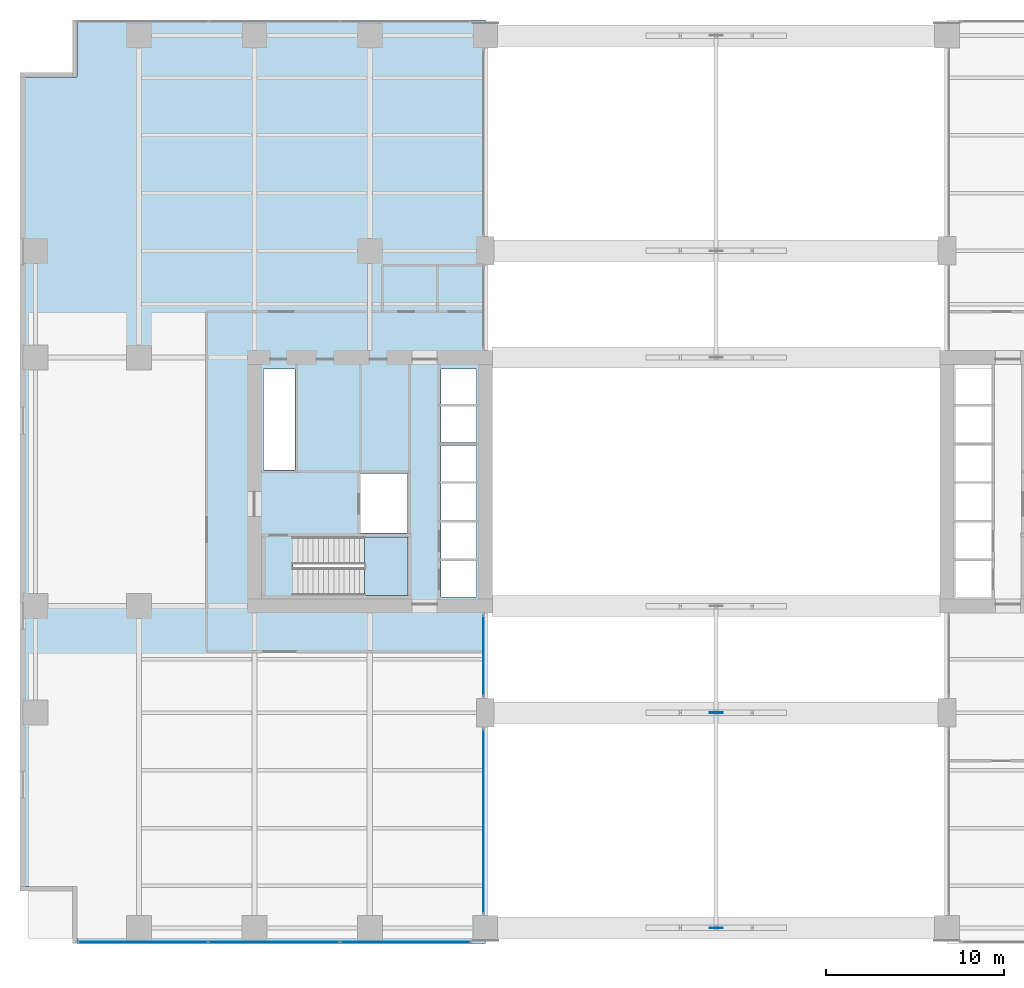
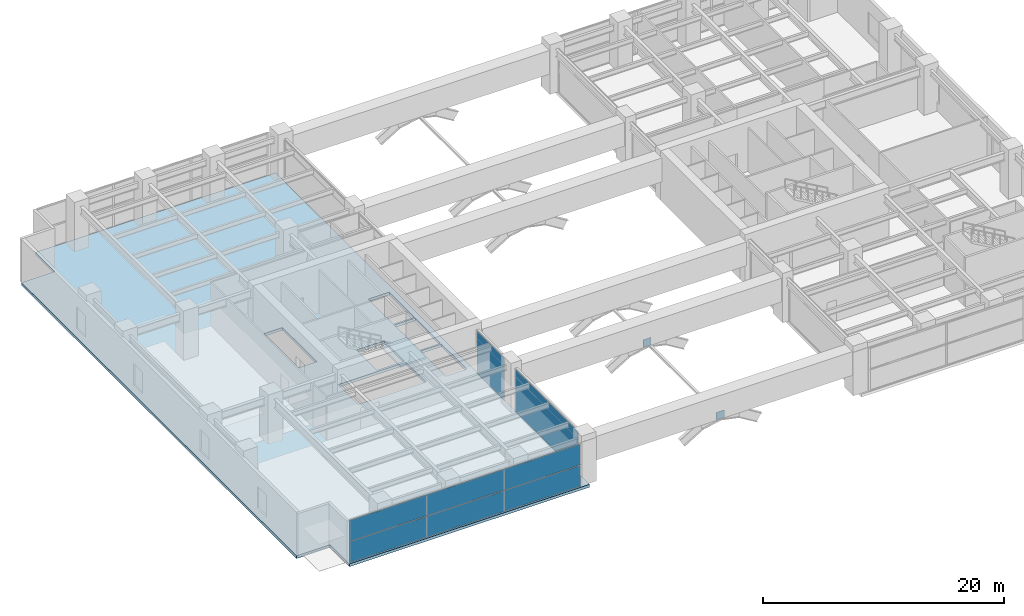
# One storey, part 12 of 23: 10 plates, 2 slabs, 4 elements without a shape of their own.
"""IFC4 building model written with IfcOpenShell, lengths in metres."""

from ifc_helpers import new_model, si_unit, direction, frame, origin, origin_2d, place, context, subcontext, project, spatial, polyline, rectangle, outline, extrude, material, layer, layer_set, type_object, element, aggregate, save


model = new_model("IFC4")

# Units and contexts
model_context = context("Model", 3, precision=1e-05, world=origin(), true_north=direction((0.0, 1.0)))
body_context = subcontext(model_context, "Body", "Model", "MODEL_VIEW")
ifc_project = project(units=[si_unit("LENGTHUNIT", "METRE"), si_unit("AREAUNIT", "SQUARE_METRE"), si_unit("VOLUMEUNIT", "CUBIC_METRE"), si_unit("PLANEANGLEUNIT", "RADIAN"), si_unit("MASSUNIT", "GRAM", prefix="KILO")], contexts=[model_context])

# Site, building, storey
site_placement = place(None, origin())
site = spatial("IfcSite", under=ifc_project, at=site_placement, CompositionType="ELEMENT")
building_placement = place(site_placement, origin())
building = spatial("IfcBuilding", under=site, at=building_placement, Name="Putna Gate Headquarters", CompositionType="ELEMENT")
storey_placement = place(building_placement, frame((0.0, 0.0, 17.0)))
storey = spatial("IfcBuildingStorey", under=building, at=storey_placement, Name="L03", CompositionType="ELEMENT", Elevation=17.0)

# Stair, slab
ifc_material_1 = material(Name="Concrete C40/50", Category="concrete")
stair_type = type_object("IfcStairType", Name="STAIR-ST1", PredefinedType="HALF_TURN_STAIR", material=ifc_material_1)
stair_placement = place(storey_placement, origin())
stair = element("IfcStair", 1, at=stair_placement, inside=storey, type_object=stair_type, Name="L03 West Core Exit Stair ST1", PredefinedType="HALF_TURN_STAIR")
ifc_layer_1 = layer(ifc_material_1, 0.199951171875)
ifc_layer_set_1 = layer_set([ifc_layer_1], Name="Concrete C40/50")
slab_type_1 = type_object("IfcSlabType", Name="LANDING-ST1", PredefinedType="LANDING", material=ifc_layer_set_1)
slab_1_placement = place(storey_placement, frame((0.0, 0.0, 2.300048828125)))
slab_1 = element("IfcSlab", 2, at=slab_1_placement, type_object=slab_type_1, Name="ST1 landing 1", PredefinedType="LANDING", context=body_context, shape_type="SweptSolid", body=[
    extrude(outline(polyline([(19.2099609375, 19.60009765625), (21.64990234375, 19.60009765625), (21.64990234375, 22.89990234375), (19.2099609375, 22.89990234375), (19.2099609375, 19.60009765625)])), origin(), (0.0, 0.0, 1.0), 0.199951171875),
])
aggregate(stair, [slab_1])

# Curtain wall, plate
ifc_material_2 = material(Name="Anodised bronze aluminium curtain wall", Category="aluminium")
ifc_layer_2 = layer(ifc_material_2, 0.179931640625)
ifc_layer_set_2 = layer_set([ifc_layer_2], Name="Anodised bronze aluminium curtain wall")
curtain_wall_type_1 = type_object("IfcCurtainWallType", Name="CW-SYS-ATR", PredefinedType="USERDEFINED", material=ifc_layer_set_2)
curtain_wall_1_placement = place(storey_placement, origin())
curtain_wall_1 = element("IfcCurtainWall", 3, at=curtain_wall_1_placement, inside=storey, type_object=curtain_wall_type_1, Name="L03 Arch Flank Glazing W-S1", ObjectType="ATRIUM GLAZING", PredefinedType="USERDEFINED")
ifc_material_3 = material(Name="Clear low-iron triple glazing", Category="glass")
ifc_layer_3 = layer(ifc_material_3, 0.0400390625)
ifc_layer_set_3 = layer_set([ifc_layer_3], Name="Clear low-iron triple glazing")
plate_type_1 = type_object("IfcPlateType", Name="PAN-CWP-AT", PredefinedType="CURTAIN_PANEL", material=ifc_layer_set_3)
plate_1_placement = place(storey_placement, frame((25.89990234375, 6.885009765625, 0.06982421875), z_axis=(0.0, 0.0, 1.0), x_axis=(0.0, 1.0, 0.0)))
plate_1 = element("IfcPlate", 4, at=plate_1_placement, type_object=plate_type_1, Name="CWS-AT panel 1.1", PredefinedType="CURTAIN_PANEL", context=body_context, shape_type="SweptSolid", body=[
    extrude(rectangle(XDim=10.330078125, YDim=0.0400390625, at=origin_2d()), origin(), (0.0, 0.0, 1.0), 4.260009765625),
])
aggregate(curtain_wall_1, [plate_1])

curtain_wall_2_placement = place(storey_placement, origin())
curtain_wall_2 = element("IfcCurtainWall", 5, at=curtain_wall_2_placement, inside=storey, type_object=curtain_wall_type_1, Name="L03 Arch Flank Glazing W-S2", ObjectType="ATRIUM GLAZING", PredefinedType="USERDEFINED")
plate_2_placement = place(storey_placement, frame((25.89990234375, 16.199951171875, 0.06982421875), z_axis=(0.0, 0.0, 1.0), x_axis=(0.0, 1.0, 0.0)))
plate_2 = element("IfcPlate", 6, at=plate_2_placement, type_object=plate_type_1, Name="CWS-AT panel 1.1", PredefinedType="CURTAIN_PANEL", context=body_context, shape_type="SweptSolid", body=[
    extrude(rectangle(XDim=4.5, YDim=0.0400390625, at=origin_2d()), origin(), (0.0, 0.0, 1.0), 4.260009765625),
])
aggregate(curtain_wall_2, [plate_2])

# Curtain wall, plates
ifc_layer_4 = layer(ifc_material_2, 0.179931640625)
ifc_layer_set_4 = layer_set([ifc_layer_4], Name="Anodised bronze aluminium curtain wall")
curtain_wall_type_2 = type_object("IfcCurtainWallType", Name="CW-SYS-POD", PredefinedType="USERDEFINED", material=ifc_layer_set_4)
curtain_wall_3_placement = place(storey_placement, origin())
curtain_wall_3 = element("IfcCurtainWall", 7, at=curtain_wall_3_placement, inside=storey, type_object=curtain_wall_type_2, Name="L03 South West Curtain Wall", ObjectType="STICK CURTAIN WALL", PredefinedType="USERDEFINED")
ifc_material_4 = material(Name="Solar-control triple low-E glass", Category="glass")
ifc_layer_5 = layer(ifc_material_4, 0.035888671875)
ifc_layer_set_5 = layer_set([ifc_layer_5], Name="Solar-control triple low-E glass")
plate_type_2 = type_object("IfcPlateType", Name="PAN-CWP-P", PredefinedType="CURTAIN_PANEL", material=ifc_layer_set_5)
plate_3_placement = place(storey_placement, frame((6.720947265625, 0.080078125, 0.06982421875), z_axis=(0.0, 0.0, 1.0), x_axis=(1.0, 0.0, 0.0)))
plate_3 = element("IfcPlate", 8, at=plate_3_placement, type_object=plate_type_2, Name="CWS-P panel 1.1", PredefinedType="CURTAIN_PANEL", context=body_context, shape_type="SweptSolid", body=[
    extrude(rectangle(XDim=7.3017578125, YDim=0.035888671875, at=origin_2d()), origin(), (0.0, 0.0, 1.0), 2.094970703125),
])
plate_4_placement = place(storey_placement, frame((6.720947265625, 0.080078125, 2.23486328125), z_axis=(0.0, 0.0, 1.0), x_axis=(1.0, 0.0, 0.0)))
plate_4 = element("IfcPlate", 9, at=plate_4_placement, type_object=plate_type_2, Name="CWS-P panel 1.2", PredefinedType="CURTAIN_PANEL", context=body_context, shape_type="SweptSolid", body=[
    extrude(rectangle(XDim=7.3017578125, YDim=0.035888671875, at=origin_2d()), origin(), (0.0, 0.0, 1.0), 2.094970703125),
])
plate_5_placement = place(storey_placement, frame((14.110107421875, 0.080078125, 0.06982421875), z_axis=(0.0, 0.0, 1.0), x_axis=(1.0, 0.0, 0.0)))
plate_5 = element("IfcPlate", 10, at=plate_5_placement, type_object=plate_type_2, Name="CWS-P panel 2.1", PredefinedType="CURTAIN_PANEL", context=body_context, shape_type="SweptSolid", body=[
    extrude(rectangle(XDim=7.336669921875, YDim=0.035888671875, at=origin_2d()), origin(), (0.0, 0.0, 1.0), 2.094970703125),
])
plate_6_placement = place(storey_placement, frame((14.110107421875, 0.080078125, 2.23486328125), z_axis=(0.0, 0.0, 1.0), x_axis=(1.0, 0.0, 0.0)))
plate_6 = element("IfcPlate", 11, at=plate_6_placement, type_object=plate_type_2, Name="CWS-P panel 2.2", PredefinedType="CURTAIN_PANEL", context=body_context, shape_type="SweptSolid", body=[
    extrude(rectangle(XDim=7.336669921875, YDim=0.035888671875, at=origin_2d()), origin(), (0.0, 0.0, 1.0), 2.094970703125),
])
plate_7_placement = place(storey_placement, frame((21.499267578125, 0.080078125, 0.06982421875), z_axis=(0.0, 0.0, 1.0), x_axis=(1.0, 0.0, 0.0)))
plate_7 = element("IfcPlate", 12, at=plate_7_placement, type_object=plate_type_2, Name="CWS-P panel 3.1", PredefinedType="CURTAIN_PANEL", context=body_context, shape_type="SweptSolid", body=[
    extrude(rectangle(XDim=7.3017578125, YDim=0.035888671875, at=origin_2d()), origin(), (0.0, 0.0, 1.0), 2.094970703125),
])
plate_8_placement = place(storey_placement, frame((21.499267578125, 0.080078125, 2.23486328125), z_axis=(0.0, 0.0, 1.0), x_axis=(1.0, 0.0, 0.0)))
plate_8 = element("IfcPlate", 13, at=plate_8_placement, type_object=plate_type_2, Name="CWS-P panel 3.2", PredefinedType="CURTAIN_PANEL", context=body_context, shape_type="SweptSolid", body=[
    extrude(rectangle(XDim=7.3017578125, YDim=0.035888671875, at=origin_2d()), origin(), (0.0, 0.0, 1.0), 2.094970703125),
])
aggregate(curtain_wall_3, [plate_3, plate_4, plate_5, plate_6, plate_7, plate_8])

# Plates
ifc_material_5 = material(Name="Steel S460M", Category="steel")
ifc_layer_6 = layer(ifc_material_5, 0.0400390625)
ifc_layer_set_6 = layer_set([ifc_layer_6], Name="Steel S460M")
plate_type_3 = type_object("IfcPlateType", Name="PLT-NODE-AN2", PredefinedType="SHEET", material=ifc_layer_set_6)
plate_9_placement = place(storey_placement, frame((39.0, 0.8798828125, 1.574951171875), z_axis=(0.0, 0.0, 1.0), x_axis=(1.0, 0.0, 0.0)))
element("IfcPlate", 14, at=plate_9_placement, inside=storey, type_object=plate_type_3, Name="Giant Arch Crown Node Plate AN2 S", PredefinedType="SHEET", context=body_context, shape_type="SweptSolid", body=[
    extrude(rectangle(XDim=0.75, YDim=0.0400390625, at=origin_2d()), origin(), (0.0, 0.0, 1.0), 0.75),
])
ifc_layer_7 = layer(ifc_material_5, 0.0400390625)
ifc_layer_set_7 = layer_set([ifc_layer_7], Name="Steel S460M")
plate_type_4 = type_object("IfcPlateType", Name="PLT-NODE-AN2-INT", PredefinedType="SHEET", material=ifc_layer_set_7)
plate_10_placement = place(storey_placement, frame((39.0, 13.0, 1.574951171875), z_axis=(0.0, 0.0, 1.0), x_axis=(1.0, 0.0, 0.0)))
element("IfcPlate", 15, at=plate_10_placement, inside=storey, type_object=plate_type_4, Name="Giant Arch Crown Node Plate AN2 CS", PredefinedType="SHEET", context=body_context, shape_type="SweptSolid", body=[
    extrude(rectangle(XDim=0.75, YDim=0.0400390625, at=origin_2d()), origin(), (0.0, 0.0, 1.0), 0.75),
])

# Slab
ifc_layer_8 = layer(ifc_material_1, 0.280029296875)
ifc_layer_set_8 = layer_set([ifc_layer_8], Name="Concrete C40/50")
slab_type_2 = type_object("IfcSlabType", Name="SLAB-POD-280", PredefinedType="FLOOR", material=ifc_layer_set_8)
slab_2_placement = place(storey_placement, frame((0.0, 0.0, -0.280029296875)))
element("IfcSlab", 16, at=slab_2_placement, inside=storey, type_object=slab_type_2, Name="L03 West Podium Wing Floor Slab", PredefinedType="FLOOR", context=body_context, shape_type="SweptSolid", body=[
    extrude(outline(polyline([(3.0, 0.0), (26.0, 0.0), (26.0, 52.0), (3.0, 52.0), (3.0, 48.800048828125), (-0.199951171875, 48.800048828125), (-0.199951171875, 3.199951171875), (3.0, 3.199951171875), (3.0, 0.0)]), holes=[polyline([(15.1650390625, 19.60009765625), (21.64990234375, 19.60009765625), (21.64990234375, 22.89990234375), (15.1650390625, 22.89990234375), (15.1650390625, 19.60009765625)]), polyline([(13.52001953125, 26.659912109375), (15.280029296875, 26.659912109375), (15.280029296875, 32.35009765625), (13.52001953125, 32.35009765625), (13.52001953125, 26.659912109375)]), polyline([(18.97998046875, 23.1201171875), (21.6201171875, 23.1201171875), (21.6201171875, 26.4599609375), (18.97998046875, 26.4599609375), (18.97998046875, 23.1201171875)]), polyline([(23.5, 19.52001953125), (25.5, 19.52001953125), (25.5, 23.699951171875), (23.5, 23.699951171875), (23.5, 19.52001953125)]), polyline([(23.5, 23.860107421875), (25.5, 23.860107421875), (25.5, 28.0400390625), (23.5, 28.0400390625), (23.5, 23.860107421875)]), polyline([(23.5, 28.199951171875), (25.5, 28.199951171875), (25.5, 32.35009765625), (23.5, 32.35009765625), (23.5, 28.199951171875)])]), origin(), (0.0, 0.0, 1.0), 0.280029296875),
])

save(model, "model.ifc")
